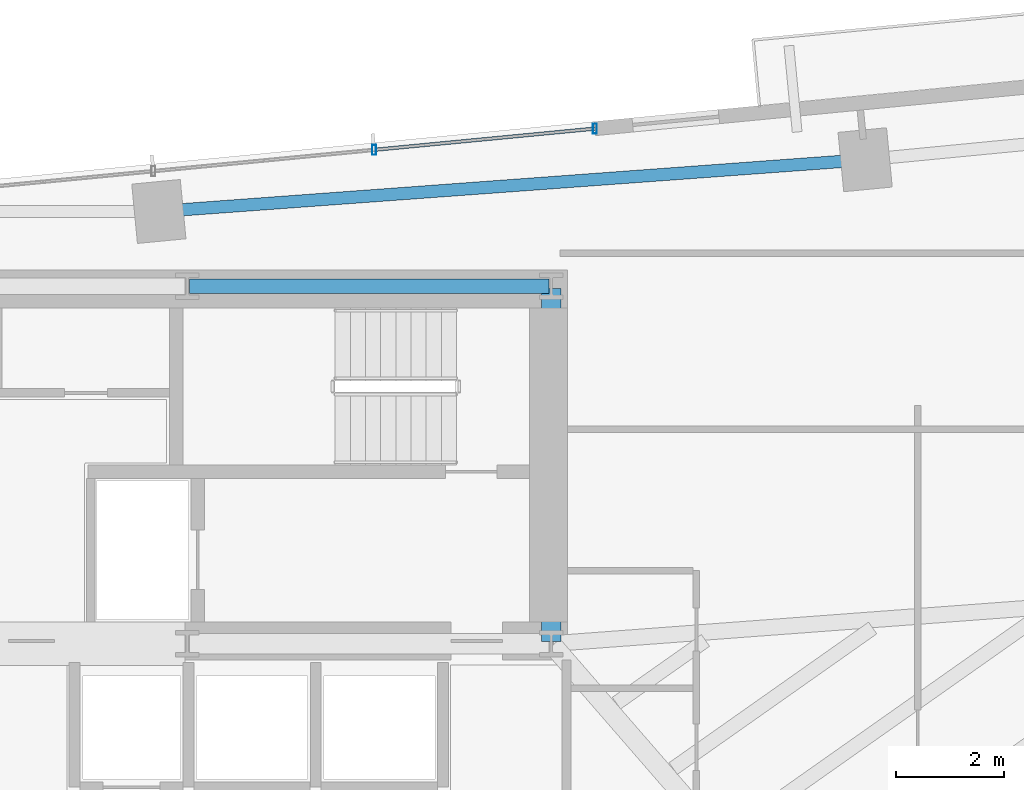
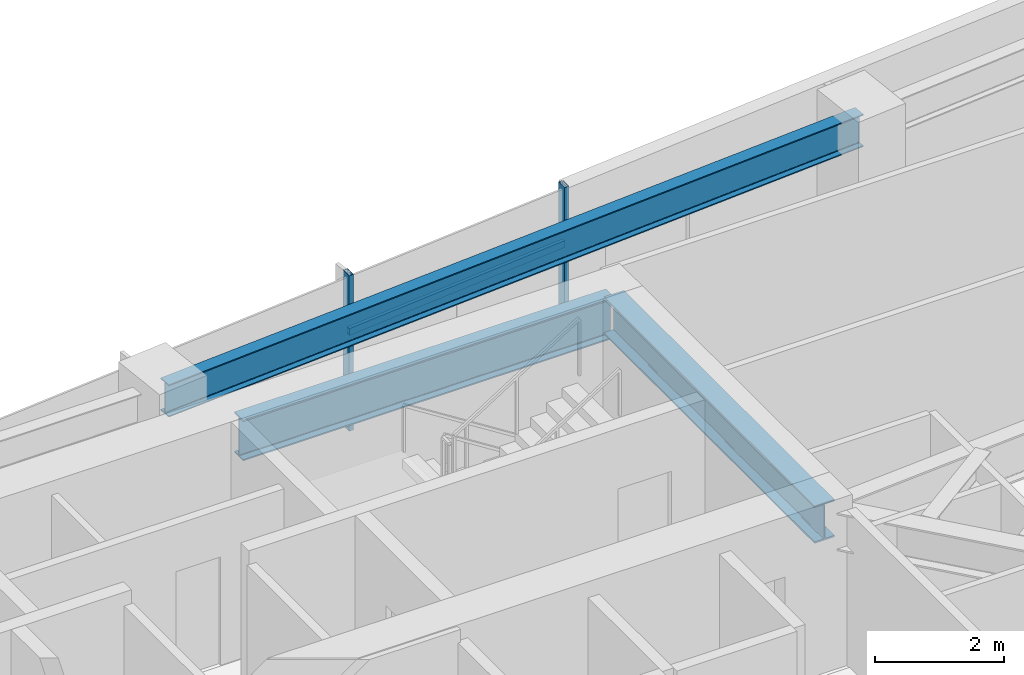
# One storey, part 15 of 25: 3 beams, 3 members, 1 element without a shape of its own.
"""IFC4 building model written with IfcOpenShell, lengths in metres."""

from ifc_helpers import new_model, si_unit, direction, frame, origin, origin_2d, place, context, subcontext, project, spatial, hollow_rectangle, i_section, extrude, source, transform, mapped, material, material_profile, profile_set, type_object, type_shapes, element, aggregate, save


model = new_model("IFC4")

# Units and contexts
model_context = context("Model", 3, precision=1e-05, world=origin(), true_north=direction((0.0, 1.0)))
body_context = subcontext(model_context, "Body", "Model", "MODEL_VIEW")
ifc_project = project(units=[si_unit("LENGTHUNIT", "METRE"), si_unit("AREAUNIT", "SQUARE_METRE"), si_unit("VOLUMEUNIT", "CUBIC_METRE"), si_unit("PLANEANGLEUNIT", "RADIAN"), si_unit("MASSUNIT", "GRAM", prefix="KILO")], contexts=[model_context])

# Site, building, storey
site_placement = place(None, origin())
site = spatial("IfcSite", under=ifc_project, at=site_placement, CompositionType="ELEMENT")
building_placement = place(site_placement, origin())
building = spatial("IfcBuilding", under=site, at=building_placement, Name="Astriad Promenade Condominiums", CompositionType="ELEMENT")
storey_placement = place(building_placement, frame((0.0, 0.0, 100.199951171875)))
storey = spatial("IfcBuildingStorey", under=building, at=storey_placement, Name="L28", CompositionType="ELEMENT", Elevation=100.199951171875)

# Beams
ifc_material_1 = material(Name="Steel ASTM A992 Grade 50", Category="steel")
ifc_material_profile_1 = material_profile(ifc_material_1, i_section(OverallWidth=0.267822265625, OverallDepth=0.76953125, WebThickness=0.015625, FlangeThickness=0.025390625, FilletRadius=0.021484375, at=origin_2d()), Name="W30X132")
ifc_profile_set_1 = profile_set([ifc_material_profile_1], Name="Steel ASTM A992 Grade 50")
beam_type_1 = type_object("IfcBeamType", Name="STEEL FLOOR GIRDER W30X132", PredefinedType="BEAM", material=ifc_profile_set_1)
shared_shape_1 = source(origin(), body_context, "Body", "SweptSolid", [
    extrude(i_section(OverallWidth=0.267822265625, OverallDepth=0.76953125, WebThickness=0.015625, FlangeThickness=0.025390625, FilletRadius=0.021484375, at=origin_2d()), origin(), (0.0, 0.0, 1.0), 6.64013671875),
])
type_shapes(beam_type_1, [shared_shape_1])
beam_1_placement = place(storey_placement, frame((38.919921875, 24.0, 2.55517578125), z_axis=(1.0, 0.0, 0.0), x_axis=(0.0, 1.0, 0.0)))
element("IfcBeam", 1, at=beam_1_placement, inside=storey, type_object=beam_type_1, Name="Core Ring Beam CG-N3-L28", PredefinedType="BEAM", context=body_context, shape_type="MappedRepresentation", body=[
    mapped(shared_shape_1, transform((0.0, 0.0, 0.0), scale=1.0)),
])
ifc_material_profile_2 = material_profile(ifc_material_1, i_section(OverallWidth=0.35791015625, OverallDepth=0.706298828125, WebThickness=0.018310546875, FlangeThickness=0.0302734375, FilletRadius=0.020263671875, at=origin_2d()), Name="W27X178")
ifc_profile_set_2 = profile_set([ifc_material_profile_2], Name="Steel ASTM A992 Grade 50")
beam_type_2 = type_object("IfcBeamType", Name="STEEL FLOOR GIRDER W27X178", PredefinedType="BEAM", material=ifc_profile_set_2)
shared_shape_2 = source(origin(), body_context, "Body", "SweptSolid", [
    extrude(i_section(OverallWidth=0.35791015625, OverallDepth=0.706298828125, WebThickness=0.018310546875, FlangeThickness=0.0302734375, FilletRadius=0.020263671875, at=origin_2d()), origin(), (0.0, 0.0, 1.0), 6.52001953125),
])
type_shapes(beam_type_2, [shared_shape_2])
beam_2_placement = place(storey_placement, frame((45.60009765625, 17.43994140625, 2.5869140625), z_axis=(0.0, 1.0, 0.0), x_axis=(-1.0, 0.0, 0.0)))
element("IfcBeam", 2, at=beam_2_placement, inside=storey, type_object=beam_type_2, Name="Core Ring Beam CG-E1-L28", PredefinedType="BEAM", context=body_context, shape_type="MappedRepresentation", body=[
    mapped(shared_shape_2, transform((0.0, 0.0, 0.0), scale=1.0)),
])
ifc_material_profile_3 = material_profile(ifc_material_1, i_section(OverallWidth=0.22900390625, OverallDepth=0.612060546875, WebThickness=0.011962890625, FlangeThickness=0.01953125, FilletRadius=0.017822265625, at=origin_2d()), Name="W24X84")
ifc_profile_set_3 = profile_set([ifc_material_profile_3], Name="Steel ASTM A992 Grade 50")
beam_type_3 = type_object("IfcBeamType", Name="STEEL SPANDREL BEAM W24X84", PredefinedType="SPANDREL", material=ifc_profile_set_3)
shared_shape_3 = source(origin(), body_context, "Body", "SweptSolid", [
    extrude(i_section(OverallWidth=0.22900390625, OverallDepth=0.612060546875, WebThickness=0.011962890625, FlangeThickness=0.01953125, FilletRadius=0.017822265625, at=origin_2d()), origin(), (0.0, 0.0, 1.0), 12.99462890625),
])
type_shapes(beam_type_3, [shared_shape_3])
beam_3_placement = place(storey_placement, frame((51.3544921875, 26.33203125, 2.634033203125), z_axis=(-0.997328518297, -0.073046742505, 0.0), x_axis=(0.073046742505, -0.997328518297, 0.0)))
element("IfcBeam", 3, at=beam_3_placement, inside=storey, type_object=beam_type_3, Name="Perimeter Spandrel Beam SP-N3-L28", PredefinedType="SPANDREL", context=body_context, shape_type="MappedRepresentation", body=[
    mapped(shared_shape_3, transform((0.0, 0.0, 0.0), scale=1.0)),
])

# Curtain wall, members
ifc_material_2 = material(Name="Anodised aluminium Black Dark Glass Unitised", Category="aluminium")
curtain_wall_type = type_object("IfcCurtainWallType", Name="CW-B2-DARK", PredefinedType="USERDEFINED", material=ifc_material_2)
curtain_wall_placement = place(storey_placement, origin())
curtain_wall = element("IfcCurtainWall", 4, at=curtain_wall_placement, inside=storey, type_object=curtain_wall_type, Name="CW-L28-N", ObjectType="UNITISED_CURTAIN_WALL", PredefinedType="USERDEFINED")
ifc_material_3 = material(Name="Anodised aluminium 6063-T6 Black", Category="aluminium")
ifc_material_profile_4 = material_profile(ifc_material_3, hollow_rectangle(XDim=0.074951171875, YDim=0.18505859375, WallThickness=0.00439453125, at=origin_2d()), Name="ALU-MUL-75X185")
ifc_profile_set_4 = profile_set([ifc_material_profile_4], Name="Anodised aluminium 6063-T6 Black")
member_type_1 = type_object("IfcMemberType", Name="MUL-ALU-MUL-75X185", PredefinedType="MULLION", material=ifc_profile_set_4)
shared_shape_4 = source(origin(), body_context, "Body", "SweptSolid", [
    extrude(hollow_rectangle(XDim=0.074951171875, YDim=0.18505859375, WallThickness=0.00439453125, at=origin_2d()), origin(), (0.0, 0.0, 1.0), 2.93994140625),
])
type_shapes(member_type_1, [shared_shape_4])
member_1_placement = place(storey_placement, frame((42.330078125, 26.51708984375, 0.0), z_axis=(0.0, 0.0, 1.0), x_axis=(1.0, 0.0, 0.0)))
member_1 = element("IfcMember", 5, at=member_1_placement, type_object=member_type_1, Name="CW-L28-N-MUL-03", PredefinedType="MULLION", context=body_context, shape_type="MappedRepresentation", body=[
    mapped(shared_shape_4, transform((0.0, 0.0, 0.0), scale=1.0)),
])
member_2_placement = place(storey_placement, frame((46.40625, 26.90966796875, 0.0), z_axis=(0.0, 0.0, 1.0), x_axis=(1.0, 0.0, 0.0)))
member_2 = element("IfcMember", 6, at=member_2_placement, type_object=member_type_1, Name="CW-L28-N-MUL-04", PredefinedType="MULLION", context=body_context, shape_type="MappedRepresentation", body=[
    mapped(shared_shape_4, transform((0.0, 0.0, 0.0), scale=1.0)),
])
ifc_material_profile_5 = material_profile(ifc_material_3, hollow_rectangle(XDim=0.06494140625, YDim=0.1298828125, WallThickness=0.00390625, at=origin_2d()), Name="ALU-TRN-65X130")
ifc_profile_set_5 = profile_set([ifc_material_profile_5], Name="Anodised aluminium 6063-T6 Black")
member_type_2 = type_object("IfcMemberType", Name="TRN-ALU-TRN-65X130", PredefinedType="USERDEFINED", material=ifc_profile_set_5)
shared_shape_5 = source(origin(), body_context, "Body", "SweptSolid", [
    extrude(hollow_rectangle(XDim=0.06494140625, YDim=0.1298828125, WallThickness=0.00390625, at=origin_2d()), origin(), (0.0, 0.0, 1.0), 4.094970703125),
])
type_shapes(member_type_2, [shared_shape_5])
member_3_placement = place(storey_placement, frame((42.330078125, 26.51708984375, 1.82275390625), z_axis=(0.995394161585, 0.09586690296, 0.0), x_axis=(-0.09586690296, 0.995394161585, 0.0)))
member_3 = element("IfcMember", 7, at=member_3_placement, type_object=member_type_2, Name="CW-L28-N-TRN-03-0", ObjectType="TRANSOM", PredefinedType="USERDEFINED", context=body_context, shape_type="MappedRepresentation", body=[
    mapped(shared_shape_5, transform((0.0, 0.0, 0.0), scale=1.0)),
])
aggregate(curtain_wall, [member_1, member_2, member_3])

save(model, "model.ifc")
